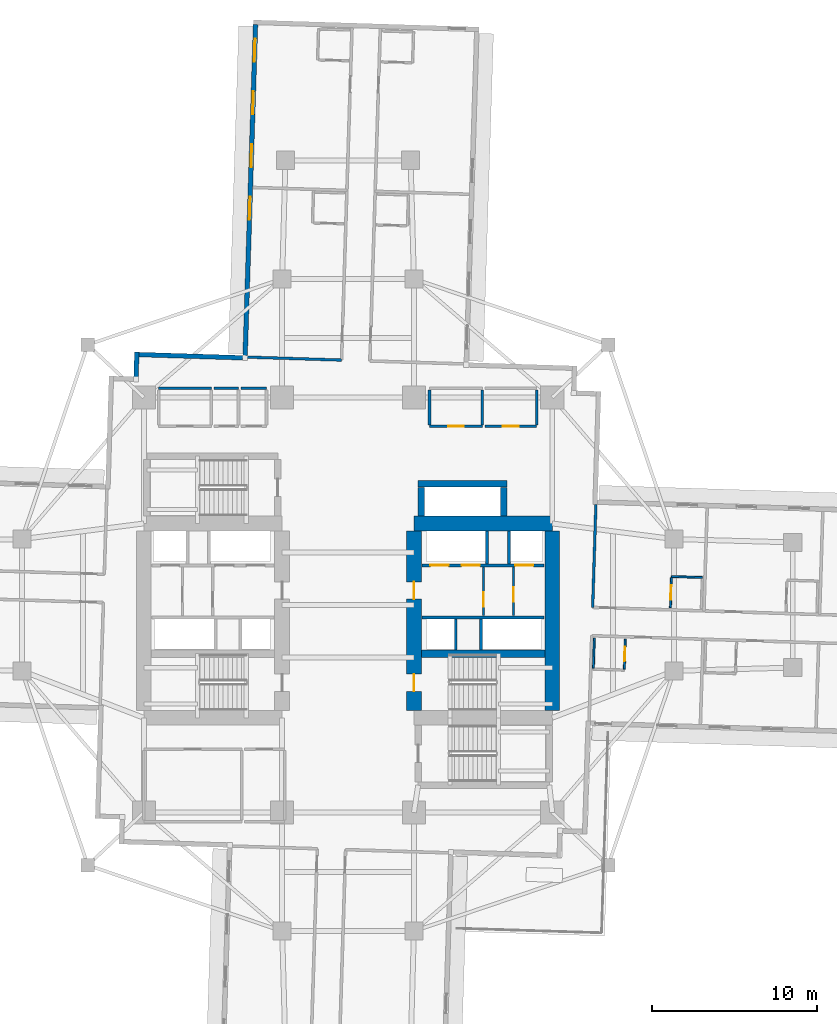
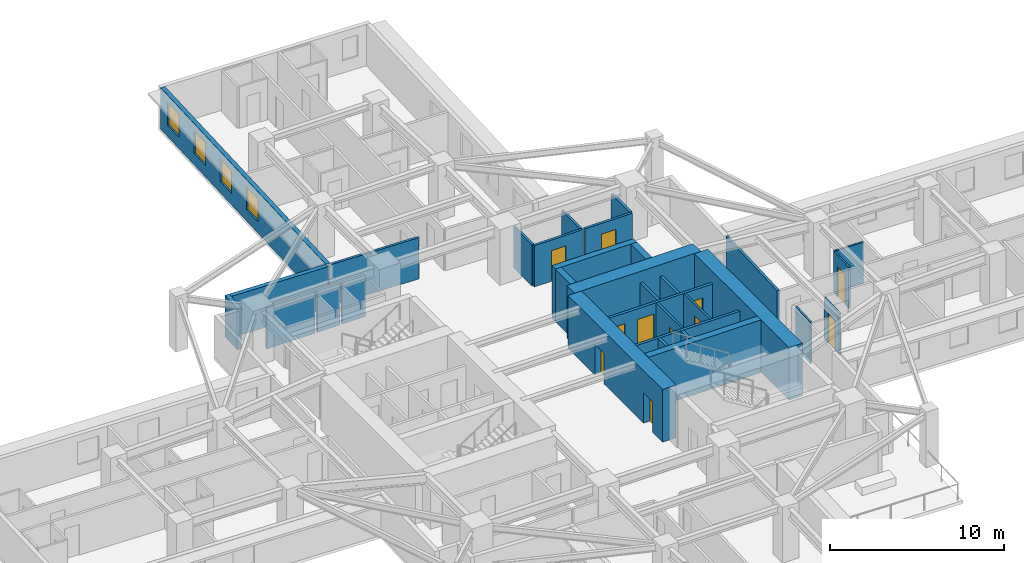
# One storey, part 6 of 13: 32 walls, 11 doors, 4 windows, 15 openings.
"""IFC4 building model written with IfcOpenShell, lengths in metres."""

from ifc_helpers import new_model, si_unit, direction, frame, frame_2d, origin, place, context, subcontext, project, spatial, rectangle, extrude, material, layer, layer_set, type_object, element, fill, save


model = new_model("IFC4")

# Units and contexts
model_context = context("Model", 3, precision=1e-05, world=origin(), true_north=direction((0.0, 1.0)))
body_context = subcontext(model_context, "Body", "Model", "MODEL_VIEW")
ifc_project = project(units=[si_unit("LENGTHUNIT", "METRE"), si_unit("AREAUNIT", "SQUARE_METRE"), si_unit("VOLUMEUNIT", "CUBIC_METRE"), si_unit("PLANEANGLEUNIT", "RADIAN"), si_unit("MASSUNIT", "GRAM", prefix="KILO")], contexts=[model_context])

# Site, building, storey
site_placement = place(None, origin())
site = spatial("IfcSite", under=ifc_project, at=site_placement, CompositionType="ELEMENT")
building_placement = place(site_placement, origin())
building = spatial("IfcBuilding", under=site, at=building_placement, Name="Qingluan Cross Belvedere", CompositionType="ELEMENT")
storey_placement = place(building_placement, frame((0.0, 0.0, 71.699951171875)))
storey = spatial("IfcBuildingStorey", under=building, at=storey_placement, Name="L18", CompositionType="ELEMENT", Elevation=71.699951171875)

# Walls
ifc_material_1 = material(Name="Concrete C50", Category="concrete")
ifc_layer_1 = layer(ifc_material_1, 0.449951171875, Name="CoreShearWall_450")
ifc_layer_set_1 = layer_set([ifc_layer_1], Name="Concrete C50")
wall_type_1 = type_object("IfcWallType", Name="CoreShearWall_450", PredefinedType="SHEAR", material=ifc_layer_set_1)
wall_1_placement = place(storey_placement, frame((4.455078125, -2.9599609375, 0.0), z_axis=(0.0, 0.0, 1.0), x_axis=(1.0, 0.0, 0.0)))
element("IfcWall", 1, at=wall_1_placement, inside=storey, type_object=wall_type_1, Name="Split core E shear wall L18-M", PredefinedType="SHEAR", context=body_context, shape_type="SweptSolid", body=[
    extrude(rectangle(XDim=7.489990234375, YDim=0.449951171875, at=frame_2d((3.7451171875, 0.0))), origin(), (0.0, 0.0, 1.0), 3.699951171875),
])
wall_2_placement = place(storey_placement, frame((4.449951171875, 5.405029296875, 0.0), z_axis=(0.0, 0.0, 1.0), x_axis=(0.0, 1.0, 0.0)))
element("IfcWall", 2, at=wall_2_placement, inside=storey, type_object=wall_type_1, Name="Express shuttle core wall L18-W", PredefinedType="SHEAR", context=body_context, shape_type="SweptSolid", body=[
    extrude(rectangle(XDim=1.73486328125, YDim=0.39990234375, at=frame_2d((0.867431640625, 0.0))), origin(), (0.0, 0.0, 1.0), 3.699951171875),
])
wall_3_placement = place(storey_placement, frame((4.25, 7.35009765625, 0.0), z_axis=(0.0, 0.0, 1.0), x_axis=(1.0, 0.0, 0.0)))
element("IfcWall", 3, at=wall_3_placement, inside=storey, type_object=wall_type_1, Name="Express shuttle core wall L18-N", PredefinedType="SHEAR", context=body_context, shape_type="SweptSolid", body=[
    extrude(rectangle(XDim=5.39990234375, YDim=0.39990234375, at=frame_2d((2.699951171875, 0.0))), origin(), (0.0, 0.0, 1.0), 3.699951171875),
])
wall_4_placement = place(storey_placement, frame((9.449951171875, 5.405029296875, 0.0), z_axis=(0.0, 0.0, 1.0), x_axis=(0.0, 1.0, 0.0)))
element("IfcWall", 4, at=wall_4_placement, inside=storey, type_object=wall_type_1, Name="Express shuttle core wall L18-E", PredefinedType="SHEAR", context=body_context, shape_type="SweptSolid", body=[
    extrude(rectangle(XDim=1.73486328125, YDim=0.39990234375, at=frame_2d((0.867431640625, 0.0))), origin(), (0.0, 0.0, 1.0), 3.699951171875),
])
ifc_material_2 = material(Name="Concrete C70", Category="concrete")
ifc_layer_2 = layer(ifc_material_2, 0.89990234375, Name="CoreShearWall_900")
ifc_layer_set_2 = layer_set([ifc_layer_2], Name="Concrete C70")
wall_type_2 = type_object("IfcWallType", Name="CoreShearWall_900", PredefinedType="SHEAR", material=ifc_layer_set_2)
wall_5_placement = place(storey_placement, frame((4.0, 4.949951171875, 0.0), z_axis=(0.0, 0.0, 1.0), x_axis=(1.0, 0.0, 0.0)))
element("IfcWall", 5, at=wall_5_placement, inside=storey, type_object=wall_type_2, Name="Split core E shear wall L18-N", PredefinedType="SHEAR", context=body_context, shape_type="SweptSolid", body=[
    extrude(rectangle(XDim=8.39990234375, YDim=0.89990234375, at=frame_2d((4.199951171875, 0.0))), origin(), (0.0, 0.0, 1.0), 3.699951171875),
])

# Wall, openings, doors
wall_6_placement = place(storey_placement, frame((4.0, -6.39501953125, 0.0), z_axis=(0.0, 0.0, 1.0), x_axis=(0.0, 1.0, 0.0)))
wall_6 = element("IfcWall", 6, at=wall_6_placement, inside=storey, type_object=wall_type_2, Name="Split core E shear wall L18-W", PredefinedType="SHEAR", context=body_context, shape_type="SweptSolid", body=[
    extrude(rectangle(XDim=10.89013671875, YDim=0.89990234375, at=frame_2d((5.445068359375, 0.0))), origin(), (0.0, 0.0, 1.0), 3.699951171875),
])
opening_1_placement = place(wall_6_placement, frame((1.14501953125, 0.0, 0.0)))
opening_1 = element("IfcOpeningElement", 7, at=opening_1_placement, cuts=wall_6, Name="Opening FD-B11", PredefinedType="OPENING", context=body_context, shape_type="SweptSolid", body=[
    extrude(rectangle(XDim=1.050048828125, YDim=2.14990234375, at=frame_2d((0.52490234375, 1.074951171875))), frame((0.0, 0.4599609375, 0.0), z_axis=(0.0, -1.0, 0.0), x_axis=(1.0, 0.0, 0.0)), (0.0, 0.0, 1.0), 0.919921875),
])
opening_2_placement = place(wall_6_placement, frame((6.7451171875, 0.0, 0.0)))
opening_2 = element("IfcOpeningElement", 8, at=opening_2_placement, cuts=wall_6, Name="Opening FD-B11", PredefinedType="OPENING", context=body_context, shape_type="SweptSolid", body=[
    extrude(rectangle(XDim=1.050048828125, YDim=2.14990234375, at=frame_2d((0.52490234375, 1.074951171875))), frame((0.0, 0.4599609375, 0.0), z_axis=(0.0, -1.0, 0.0), x_axis=(1.0, 0.0, 0.0)), (0.0, 0.0, 1.0), 0.919921875),
])
ifc_material_3 = material(Name="Steel Class B smoke-seal fire door", Category="steel")
door_type_1 = type_object("IfcDoorType", Name="StairLobbyFireDoor_FDB", OperationType="NOTDEFINED", PredefinedType="DOOR", material=ifc_material_3)
door_1_placement = place(opening_1_placement, origin())
door_1 = element("IfcDoor", 9, at=door_1_placement, inside=storey, type_object=door_type_1, Name="Smoke-proof stair ST2 fire door L18", OperationType="SINGLE_SWING_LEFT", OverallHeight=2.14990234375, OverallWidth=1.050048828125, PredefinedType="DOOR", context=body_context, shape_type="SweptSolid", body=[
    extrude(rectangle(XDim=1.050048828125, YDim=2.14990234375, at=frame_2d((0.52490234375, 1.074951171875))), frame((0.0, 0.02490234375, 0.0), z_axis=(0.0, -1.0, 0.0), x_axis=(1.0, 0.0, 0.0)), (0.0, 0.0, 1.0), 0.050048828125),
])
fill(opening_1, door_1)
door_2_placement = place(opening_2_placement, origin())
door_2 = element("IfcDoor", 10, at=door_2_placement, inside=storey, type_object=door_type_1, Name="Firefighting lobby East fire door L18", OperationType="SINGLE_SWING_LEFT", OverallHeight=2.14990234375, OverallWidth=1.050048828125, PredefinedType="DOOR", context=body_context, shape_type="SweptSolid", body=[
    extrude(rectangle(XDim=1.050048828125, YDim=2.14990234375, at=frame_2d((0.52490234375, 1.074951171875))), frame((0.0, 0.02490234375, 0.0), z_axis=(0.0, -1.0, 0.0), x_axis=(1.0, 0.0, 0.0)), (0.0, 0.0, 1.0), 0.050048828125),
])
fill(opening_2, door_2)

# Wall
wall_7_placement = place(storey_placement, frame((12.39990234375, -6.39501953125, 0.0), z_axis=(0.0, 0.0, 1.0), x_axis=(0.0, 1.0, 0.0)))
element("IfcWall", 11, at=wall_7_placement, inside=storey, type_object=wall_type_2, Name="Split core E shear wall L18-E", PredefinedType="SHEAR", context=body_context, shape_type="SweptSolid", body=[
    extrude(rectangle(XDim=10.89013671875, YDim=0.89990234375, at=frame_2d((5.445068359375, 0.0))), origin(), (0.0, 0.0, 1.0), 3.699951171875),
])

# Wall, opening, door
ifc_material_4 = material(Name="Gypsum plasterboard on steel stud acoustic partition", Category="steel")
ifc_layer_3 = layer(ifc_material_4, 0.159912109375, Name="CorridorPartition_160")
ifc_layer_set_3 = layer_set([ifc_layer_3], Name="Gypsum plasterboard on steel stud acoustic partition")
wall_type_3 = type_object("IfcWallType", Name="CorridorPartition_160", PredefinedType="PARTITIONING", material=ifc_layer_set_3)
wall_8_placement = place(storey_placement, frame((10.050048828125, -0.652099609375, 0.0), z_axis=(0.0, 0.0, 1.0), x_axis=(0.0, 1.0, 0.0)))
wall_8 = element("IfcWall", 12, at=wall_8_placement, inside=storey, type_object=wall_type_3, Name="Partition L18:ev", PredefinedType="PARTITIONING", context=body_context, shape_type="SweptSolid", body=[
    extrude(rectangle(XDim=2.962158203125, YDim=0.139892578125, at=frame_2d((1.48095703125, 0.0))), origin(), (0.0, 0.0, 1.0), 2.900146484375),
])
opening_3_placement = place(wall_8_placement, frame((0.85009765625, 0.0, 0.0)))
opening_3 = element("IfcOpeningElement", 13, at=opening_3_placement, cuts=wall_8, Name="Opening FD-B10", PredefinedType="OPENING", context=body_context, shape_type="SweptSolid", body=[
    extrude(rectangle(XDim=0.8798828125, YDim=2.10009765625, at=frame_2d((0.43994140625, 1.050048828125))), frame((0.0, 0.079833984375, 0.0), z_axis=(0.0, -1.0, 0.0), x_axis=(1.0, 0.0, 0.0)), (0.0, 0.0, 1.0), 0.159912109375),
])
ifc_material_5 = material(Name="Steel Class B service fire door", Category="steel")
door_type_2 = type_object("IfcDoorType", Name="RiserServiceFireDoor_FDB", OperationType="NOTDEFINED", PredefinedType="DOOR", material=ifc_material_5)
door_3_placement = place(opening_3_placement, origin())
door_3 = element("IfcDoor", 14, at=door_3_placement, inside=storey, type_object=door_type_2, Name="Service closet inner door L18", OperationType="SINGLE_SWING_LEFT", OverallHeight=2.10009765625, OverallWidth=0.8798828125, PredefinedType="DOOR", context=body_context, shape_type="SweptSolid", body=[
    extrude(rectangle(XDim=0.8798828125, YDim=2.10009765625, at=frame_2d((0.43994140625, 1.050048828125))), frame((0.0, 0.02490234375, 0.0), z_axis=(0.0, -1.0, 0.0), x_axis=(1.0, 0.0, 0.0)), (0.0, 0.0, 1.0), 0.050048828125),
])
fill(opening_3, door_3)

# Walls
wall_9_placement = place(storey_placement, frame((-11.5, 13.14990234375, 0.0), z_axis=(0.0, 0.0, 1.0), x_axis=(1.0, 0.0, 0.0)))
element("IfcWall", 15, at=wall_9_placement, inside=storey, type_object=wall_type_3, Name="Partition L18:q_nw_occ:N", PredefinedType="PARTITIONING", context=body_context, shape_type="SweptSolid", body=[
    extrude(rectangle(XDim=3.199951171875, YDim=0.159912109375, at=frame_2d((1.60009765625, 0.0))), origin(), (0.0, 0.0, 1.0), 2.900146484375),
])
wall_10_placement = place(storey_placement, frame((-8.139892578125, 13.14990234375, 0.0), z_axis=(0.0, 0.0, 1.0), x_axis=(1.0, 0.0, 0.0)))
element("IfcWall", 16, at=wall_10_placement, inside=storey, type_object=wall_type_3, Name="Partition L18:hk_linen:N", PredefinedType="PARTITIONING", context=body_context, shape_type="SweptSolid", body=[
    extrude(rectangle(XDim=1.489990234375, YDim=0.159912109375, at=frame_2d((0.7451171875, 0.0))), origin(), (0.0, 0.0, 1.0), 2.900146484375),
])
wall_11_placement = place(storey_placement, frame((-6.489990234375, 13.14990234375, 0.0), z_axis=(0.0, 0.0, 1.0), x_axis=(1.0, 0.0, 0.0)))
element("IfcWall", 17, at=wall_11_placement, inside=storey, type_object=wall_type_3, Name="Partition L18:floor_acc_wc:N", PredefinedType="PARTITIONING", context=body_context, shape_type="SweptSolid", body=[
    extrude(rectangle(XDim=1.5400390625, YDim=0.159912109375, at=frame_2d((0.77001953125, 0.0))), origin(), (0.0, 0.0, 1.0), 2.900146484375),
])

# Wall, opening, door
wall_12_placement = place(storey_placement, frame((4.949951171875, 10.85009765625, 0.0), z_axis=(0.0, 0.0, 1.0), x_axis=(1.0, 0.0, 0.0)))
wall_12 = element("IfcWall", 18, at=wall_12_placement, inside=storey, type_object=wall_type_3, Name="Partition L18:q_ne1:S", PredefinedType="PARTITIONING", context=body_context, shape_type="SweptSolid", body=[
    extrude(rectangle(XDim=3.199951171875, YDim=0.159912109375, at=frame_2d((1.60009765625, 0.0))), origin(), (0.0, 0.0, 1.0), 2.900146484375),
])
opening_4_placement = place(wall_12_placement, frame((1.1201171875, 0.0, 0.0)))
opening_4 = element("IfcOpeningElement", 19, at=opening_4_placement, cuts=wall_12, Name="Opening GD-10", PredefinedType="OPENING", context=body_context, shape_type="SweptSolid", body=[
    extrude(rectangle(XDim=0.9599609375, YDim=2.14990234375, at=frame_2d((0.47998046875, 1.074951171875))), frame((0.0, 0.08984375, 0.0), z_axis=(0.0, -1.0, 0.0), x_axis=(1.0, 0.0, 0.0)), (0.0, 0.0, 1.0), 0.179931640625),
])
ifc_material_6 = material(Name="Timber oak fire-rated acoustic guestroom door", Category="wood")
door_type_3 = type_object("IfcDoorType", Name="GuestEntryDoor_FD60", OperationType="NOTDEFINED", PredefinedType="DOOR", material=ifc_material_6)
door_4_placement = place(opening_4_placement, origin())
door_4 = element("IfcDoor", 20, at=door_4_placement, inside=storey, type_object=door_type_3, Name="Business conference room L18 door", OperationType="SINGLE_SWING_LEFT", OverallHeight=2.14990234375, OverallWidth=0.9599609375, PredefinedType="DOOR", context=body_context, shape_type="SweptSolid", body=[
    extrude(rectangle(XDim=0.9599609375, YDim=2.14990234375, at=frame_2d((0.47998046875, 1.074951171875))), frame((0.0, 0.02490234375, 0.0), z_axis=(0.0, -1.0, 0.0), x_axis=(1.0, 0.0, 0.0)), (0.0, 0.0, 1.0), 0.050048828125),
])
fill(opening_4, door_4)

# Walls
for number, where, z_axis, x_axis, name in (
    (21, (4.949951171875, 10.93505859375, 0.0), (0.0, 0.0, 1.0), (0.0, 1.0, 0.0), "Partition L18:q_ne1:W"),
    (22, (8.14990234375, 10.93505859375, 0.0), (0.0, 0.0, 1.0), (0.0, 1.0, 0.0), "Partition L18:q_ne1:E"),
):
    element("IfcWall", number, at=place(storey_placement, frame(where, z_axis=z_axis, x_axis=x_axis)), inside=storey, type_object=wall_type_3, Name=name, PredefinedType="PARTITIONING", context=body_context, shape_type="SweptSolid", body=[
        extrude(rectangle(XDim=2.1298828125, YDim=0.159912109375, at=frame_2d((1.06494140625, 0.0))), origin(), (0.0, 0.0, 1.0), 2.900146484375),
    ])

# Wall, opening, door
wall_13_placement = place(storey_placement, frame((8.31005859375, 10.85009765625, 0.0), z_axis=(0.0, 0.0, 1.0), x_axis=(1.0, 0.0, 0.0)))
wall_13 = element("IfcWall", 23, at=wall_13_placement, inside=storey, type_object=wall_type_3, Name="Partition L18:q_ne2:S", PredefinedType="PARTITIONING", context=body_context, shape_type="SweptSolid", body=[
    extrude(rectangle(XDim=3.139892578125, YDim=0.159912109375, at=frame_2d((1.56982421875, 0.0))), origin(), (0.0, 0.0, 1.0), 2.900146484375),
])
opening_5_placement = place(wall_13_placement, frame((1.090087890625, 0.0, 0.0)))
opening_5 = element("IfcOpeningElement", 24, at=opening_5_placement, cuts=wall_13, Name="Opening GD-10", PredefinedType="OPENING", context=body_context, shape_type="SweptSolid", body=[
    extrude(rectangle(XDim=0.9599609375, YDim=2.14990234375, at=frame_2d((0.47998046875, 1.074951171875))), frame((0.0, 0.08984375, 0.0), z_axis=(0.0, -1.0, 0.0), x_axis=(1.0, 0.0, 0.0)), (0.0, 0.0, 1.0), 0.179931640625),
])
door_5_placement = place(opening_5_placement, origin())
door_5 = element("IfcDoor", 25, at=door_5_placement, inside=storey, type_object=door_type_3, Name="Northeast quiet study L18 door", OperationType="SINGLE_SWING_RIGHT", OverallHeight=2.14990234375, OverallWidth=0.9599609375, PredefinedType="DOOR", context=body_context, shape_type="SweptSolid", body=[
    extrude(rectangle(XDim=0.9599609375, YDim=2.14990234375, at=frame_2d((0.47998046875, 1.074951171875))), frame((0.0, 0.02490234375, 0.0), z_axis=(0.0, -1.0, 0.0), x_axis=(1.0, 0.0, 0.0)), (0.0, 0.0, 1.0), 0.050048828125),
])
fill(opening_5, door_5)

# Walls
wall_14_placement = place(storey_placement, frame((11.449951171875, 10.93505859375, 0.0), z_axis=(0.0, 0.0, 1.0), x_axis=(0.0, 1.0, 0.0)))
element("IfcWall", 26, at=wall_14_placement, inside=storey, type_object=wall_type_3, Name="Partition L18:q_ne2:E", PredefinedType="PARTITIONING", context=body_context, shape_type="SweptSolid", body=[
    extrude(rectangle(XDim=2.1298828125, YDim=0.159912109375, at=frame_2d((1.06494140625, 0.0))), origin(), (0.0, 0.0, 1.0), 2.900146484375),
])
wall_15_placement = place(storey_placement, frame((14.852783203125, -0.146484375, 0.0), z_axis=(0.0, 0.0, 1.0), x_axis=(0.031435911097, 0.999505769615, 0.0)))
element("IfcWall", 27, at=wall_15_placement, inside=storey, type_object=wall_type_3, Name="Partition L18:E:s0", PredefinedType="PARTITIONING", context=body_context, shape_type="SweptSolid", body=[
    extrude(rectangle(XDim=6.251953125, YDim=0.159912109375, at=frame_2d((3.1259765625, 0.0))), origin(), (0.0, 0.0, 1.0), 2.900146484375),
])
wall_16_placement = place(storey_placement, frame((-0.39306640625, 14.86962890625, 0.0), z_axis=(0.0, 0.0, 1.0), x_axis=(-0.999506491758, 0.031412942136, 0.0)))
element("IfcWall", 28, at=wall_16_placement, inside=storey, type_object=wall_type_3, Name="Partition L18:N:s1", PredefinedType="PARTITIONING", context=body_context, shape_type="SweptSolid", body=[
    extrude(rectangle(XDim=5.860107421875, YDim=0.159912109375, at=frame_2d((2.93017578125, 0.0))), origin(), (0.0, 0.0, 1.0), 2.900146484375),
])

# Wall, opening, door
ifc_material_7 = material(Name="Moisture-resistant gypsum board lining")
ifc_layer_4 = layer(ifc_material_7, 0.1201171875, Name="EnsuiteWetPartition_120")
ifc_layer_set_4 = layer_set([ifc_layer_4], Name="Moisture-resistant gypsum board lining")
wall_type_4 = type_object("IfcWallType", Name="EnsuiteWetPartition_120", PredefinedType="PARTITIONING", material=ifc_layer_set_4)
wall_17_placement = place(storey_placement, frame((19.57470703125, -0.15478515625, 0.0), z_axis=(0.0, 0.0, 1.0), x_axis=(0.03152371574, 0.999503004171, 0.0)))
wall_17 = element("IfcWall", 29, at=wall_17_placement, inside=storey, type_object=wall_type_4, Name="Partition L18:E:bs0_0", PredefinedType="PARTITIONING", context=body_context, shape_type="SweptSolid", body=[
    extrude(rectangle(XDim=1.820068359375, YDim=0.1201171875, at=frame_2d((0.91015625, 0.0))), origin(), (0.0, 0.0, 1.0), 2.900146484375),
])
opening_6_placement = place(wall_17_placement, frame((0.469970703125, 0.0, 0.0)))
opening_6 = element("IfcOpeningElement", 30, at=opening_6_placement, cuts=wall_17, Name="Opening BD-09", PredefinedType="OPENING", context=body_context, shape_type="SweptSolid", body=[
    extrude(rectangle(XDim=0.8798828125, YDim=2.10009765625, at=frame_2d((0.43994140625, 1.050048828125))), frame((0.0, 0.070068359375, 0.0), z_axis=(0.0, -1.0, 0.0), x_axis=(1.0, 0.0, 0.0)), (0.0, 0.0, 1.0), 0.14013671875),
])
ifc_material_8 = material(Name="Moisture-sealed timber en-suite door", Category="wood")
door_type_4 = type_object("IfcDoorType", Name="BathroomDoor_880", OperationType="NOTDEFINED", PredefinedType="DOOR", material=ifc_material_8)
door_6_placement = place(opening_6_placement, origin())
door_6 = element("IfcDoor", 31, at=door_6_placement, inside=storey, type_object=door_type_4, Name="Bathroom door 1801", OperationType="SINGLE_SWING_RIGHT", OverallHeight=2.10009765625, OverallWidth=0.8798828125, PredefinedType="DOOR", context=body_context, shape_type="SweptSolid", body=[
    extrude(rectangle(XDim=0.8798828125, YDim=2.10009765625, at=frame_2d((0.43994140625, 1.050048828125))), frame((0.0, 0.02490234375, 0.0), z_axis=(0.0, -1.0, 0.0), x_axis=(1.0, 0.0, 0.0)), (0.0, 0.0, 1.0), 0.050048828125),
])
fill(opening_6, door_6)

# Wall
wall_18_placement = place(storey_placement, frame((19.634033203125, 1.72900390625, 0.0), z_axis=(0.0, 0.0, 1.0), x_axis=(0.999510173889, -0.031295563454, 0.0)))
element("IfcWall", 32, at=wall_18_placement, inside=storey, type_object=wall_type_4, Name="Partition L18:E:bn0_0", PredefinedType="PARTITIONING", context=body_context, shape_type="SweptSolid", body=[
    extrude(rectangle(XDim=1.880126953125, YDim=0.1201171875, at=frame_2d((0.93994140625, 0.0))), origin(), (0.0, 0.0, 1.0), 2.900146484375),
])

# Wall, opening, door
wall_19_placement = place(storey_placement, frame((16.776123046875, -3.888916015625, 0.0), z_axis=(0.0, 0.0, 1.0), x_axis=(0.031389704724, 0.999507221803, 0.0)))
wall_19 = element("IfcWall", 33, at=wall_19_placement, inside=storey, type_object=wall_type_4, Name="Partition L18:E:bs1_0", PredefinedType="PARTITIONING", context=body_context, shape_type="SweptSolid", body=[
    extrude(rectangle(XDim=1.820068359375, YDim=0.1201171875, at=frame_2d((0.91015625, 0.0))), origin(), (0.0, 0.0, 1.0), 2.900146484375),
])
opening_7_placement = place(wall_19_placement, frame((0.469970703125, 0.0, 0.0)))
opening_7 = element("IfcOpeningElement", 34, at=opening_7_placement, cuts=wall_19, Name="Opening BD-09", PredefinedType="OPENING", context=body_context, shape_type="SweptSolid", body=[
    extrude(rectangle(XDim=0.8798828125, YDim=2.10009765625, at=frame_2d((0.43994140625, 1.050048828125))), frame((0.0, 0.070068359375, 0.0), z_axis=(0.0, -1.0, 0.0), x_axis=(1.0, 0.0, 0.0)), (0.0, 0.0, 1.0), 0.14013671875),
])
door_7_placement = place(opening_7_placement, origin())
door_7 = element("IfcDoor", 35, at=door_7_placement, inside=storey, type_object=door_type_4, Name="Bathroom door 1804", OperationType="SINGLE_SWING_RIGHT", OverallHeight=2.10009765625, OverallWidth=0.8798828125, PredefinedType="DOOR", context=body_context, shape_type="SweptSolid", body=[
    extrude(rectangle(XDim=0.8798828125, YDim=2.10009765625, at=frame_2d((0.43994140625, 1.050048828125))), frame((0.0, 0.02490234375, 0.0), z_axis=(0.0, -1.0, 0.0), x_axis=(1.0, 0.0, 0.0)), (0.0, 0.0, 1.0), 0.050048828125),
])
fill(opening_7, door_7)

# Wall
wall_20_placement = place(storey_placement, frame((14.897216796875, -3.829833984375, 0.0), z_axis=(0.0, 0.0, 1.0), x_axis=(0.031255692016, 0.999511421504, 0.0)))
element("IfcWall", 36, at=wall_20_placement, inside=storey, type_object=wall_type_4, Name="Partition L18:E:bw1_0", PredefinedType="PARTITIONING", context=body_context, shape_type="SweptSolid", body=[
    extrude(rectangle(XDim=1.820068359375, YDim=0.1201171875, at=frame_2d((0.91015625, 0.0))), origin(), (0.0, 0.0, 1.0), 2.900146484375),
])

# Wall, openings, windows
ifc_material_9 = material(Name="Precast concrete C45", Category="concrete")
ifc_layer_5 = layer(ifc_material_9, 0.280029296875, Name="PrecastFacadeWall_280")
ifc_layer_set_5 = layer_set([ifc_layer_5], Name="Precast concrete C45")
wall_type_5 = type_object("IfcWallType", Name="PrecastFacadeWall_280", PredefinedType="STANDARD", material=ifc_layer_set_5)
wall_21_placement = place(storey_placement, frame((-5.6162109375, 35.23388671875, 0.0), z_axis=(0.0, 0.0, 1.0), x_axis=(-0.031398187845, -0.999506955354, 0.0)))
wall_21 = element("IfcWall", 37, at=wall_21_placement, inside=storey, type_object=wall_type_5, Name="Facade wall L18-NB", PredefinedType="STANDARD", context=body_context, shape_type="SweptSolid", body=[
    extrude(rectangle(XDim=20.10009765625, YDim=0.280029296875, at=frame_2d((10.050048828125, 0.0))), origin(), (0.0, 0.0, 1.0), 2.91015625),
])
opening_8_placement = place(wall_21_placement, frame((0.85009765625, 0.0, 0.800048828125)))
opening_8 = element("IfcOpeningElement", 38, at=opening_8_placement, cuts=wall_21, Name="Opening W-01", PredefinedType="OPENING", context=body_context, shape_type="SweptSolid", body=[
    extrude(rectangle(XDim=1.39990234375, YDim=1.60009765625, at=frame_2d((0.699951171875, 0.800048828125))), frame((0.0, 0.14990234375, 0.0), z_axis=(0.0, -1.0, 0.0), x_axis=(1.0, 0.0, 0.0)), (0.0, 0.0, 1.0), 0.300048828125),
])
opening_9_placement = place(wall_21_placement, frame((4.050048828125, 0.0, 0.800048828125)))
opening_9 = element("IfcOpeningElement", 39, at=opening_9_placement, cuts=wall_21, Name="Opening W-01", PredefinedType="OPENING", context=body_context, shape_type="SweptSolid", body=[
    extrude(rectangle(XDim=1.39990234375, YDim=1.60009765625, at=frame_2d((0.699951171875, 0.800048828125))), frame((0.0, 0.14990234375, 0.0), z_axis=(0.0, -1.0, 0.0), x_axis=(1.0, 0.0, 0.0)), (0.0, 0.0, 1.0), 0.300048828125),
])
opening_10_placement = place(wall_21_placement, frame((7.25, 0.0, 0.800048828125)))
opening_10 = element("IfcOpeningElement", 40, at=opening_10_placement, cuts=wall_21, Name="Opening W-01", PredefinedType="OPENING", context=body_context, shape_type="SweptSolid", body=[
    extrude(rectangle(XDim=1.39990234375, YDim=1.60009765625, at=frame_2d((0.699951171875, 0.800048828125))), frame((0.0, 0.14990234375, 0.0), z_axis=(0.0, -1.0, 0.0), x_axis=(1.0, 0.0, 0.0)), (0.0, 0.0, 1.0), 0.300048828125),
])
opening_11_placement = place(wall_21_placement, frame((10.449951171875, 0.0, 0.800048828125)))
opening_11 = element("IfcOpeningElement", 41, at=opening_11_placement, cuts=wall_21, Name="Opening W-01", PredefinedType="OPENING", context=body_context, shape_type="SweptSolid", body=[
    extrude(rectangle(XDim=1.39990234375, YDim=1.60009765625, at=frame_2d((0.699951171875, 0.800048828125))), frame((0.0, 0.14990234375, 0.0), z_axis=(0.0, -1.0, 0.0), x_axis=(1.0, 0.0, 0.0)), (0.0, 0.0, 1.0), 0.300048828125),
])
ifc_material_10 = material(Name="Thermally broken triple Low-E glass in aluminium frame", Category="aluminium")
window_type = type_object("IfcWindowType", Name="TriRibbonWin_1400x1600", PartitioningType="SINGLE_PANEL", PredefinedType="WINDOW", material=ifc_material_10)
window_1_placement = place(opening_8_placement, origin())
window_1 = element("IfcWindow", 42, at=window_1_placement, inside=storey, type_object=window_type, Name="Ribbon window L18-NB-1", OverallHeight=1.60009765625, OverallWidth=1.39990234375, PartitioningType="SINGLE_PANEL", PredefinedType="WINDOW", context=body_context, shape_type="SweptSolid", body=[
    extrude(rectangle(XDim=1.39990234375, YDim=1.60009765625, at=frame_2d((0.699951171875, 0.800048828125))), frame((0.0, 0.030029296875, 0.0), z_axis=(0.0, -1.0, 0.0), x_axis=(1.0, 0.0, 0.0)), (0.0, 0.0, 1.0), 0.06005859375),
])
fill(opening_8, window_1)
window_2_placement = place(opening_9_placement, origin())
window_2 = element("IfcWindow", 43, at=window_2_placement, inside=storey, type_object=window_type, Name="Ribbon window L18-NB-2", OverallHeight=1.60009765625, OverallWidth=1.39990234375, PartitioningType="SINGLE_PANEL", PredefinedType="WINDOW", context=body_context, shape_type="SweptSolid", body=[
    extrude(rectangle(XDim=1.39990234375, YDim=1.60009765625, at=frame_2d((0.699951171875, 0.800048828125))), frame((0.0, 0.030029296875, 0.0), z_axis=(0.0, -1.0, 0.0), x_axis=(1.0, 0.0, 0.0)), (0.0, 0.0, 1.0), 0.06005859375),
])
fill(opening_9, window_2)
window_3_placement = place(opening_10_placement, origin())
window_3 = element("IfcWindow", 44, at=window_3_placement, inside=storey, type_object=window_type, Name="Ribbon window L18-NB-3", OverallHeight=1.60009765625, OverallWidth=1.39990234375, PartitioningType="SINGLE_PANEL", PredefinedType="WINDOW", context=body_context, shape_type="SweptSolid", body=[
    extrude(rectangle(XDim=1.39990234375, YDim=1.60009765625, at=frame_2d((0.699951171875, 0.800048828125))), frame((0.0, 0.030029296875, 0.0), z_axis=(0.0, -1.0, 0.0), x_axis=(1.0, 0.0, 0.0)), (0.0, 0.0, 1.0), 0.06005859375),
])
fill(opening_10, window_3)
window_4_placement = place(opening_11_placement, origin())
window_4 = element("IfcWindow", 45, at=window_4_placement, inside=storey, type_object=window_type, Name="Ribbon window L18-NB-4", OverallHeight=1.60009765625, OverallWidth=1.39990234375, PartitioningType="SINGLE_PANEL", PredefinedType="WINDOW", context=body_context, shape_type="SweptSolid", body=[
    extrude(rectangle(XDim=1.39990234375, YDim=1.60009765625, at=frame_2d((0.699951171875, 0.800048828125))), frame((0.0, 0.030029296875, 0.0), z_axis=(0.0, -1.0, 0.0), x_axis=(1.0, 0.0, 0.0)), (0.0, 0.0, 1.0), 0.06005859375),
])
fill(opening_11, window_4)

# Walls
wall_22_placement = place(storey_placement, frame((-12.871337890625, 13.85107421875, 0.0), z_axis=(0.0, 0.0, 1.0), x_axis=(0.031412596484, 0.999506502621, 0.0)))
element("IfcWall", 46, at=wall_22_placement, inside=storey, type_object=wall_type_5, Name="Corner wall L18-NW3", PredefinedType="STANDARD", context=body_context, shape_type="SweptSolid", body=[
    extrude(rectangle(XDim=1.5, YDim=0.280029296875, at=frame_2d((0.75, 0.0))), origin(), (0.0, 0.0, 1.0), 2.91015625),
])
wall_23_placement = place(storey_placement, frame((-12.688720703125, 15.2060546875, 0.0), z_axis=(0.0, 0.0, 1.0), x_axis=(0.999507262922, -0.031388395416, 0.0)))
element("IfcWall", 47, at=wall_23_placement, inside=storey, type_object=wall_type_5, Name="Corner wall L18-NW4", PredefinedType="STANDARD", context=body_context, shape_type="SweptSolid", body=[
    extrude(rectangle(XDim=6.30029296875, YDim=0.280029296875, at=frame_2d((3.150146484375, 0.0))), origin(), (0.0, 0.0, 1.0), 2.91015625),
])

# Wall, openings, doors
ifc_material_11 = material(Name="Concrete C40", Category="concrete")
ifc_layer_6 = layer(ifc_material_11, 0.219970703125, Name="ShaftEnclosureWall_250")
ifc_layer_set_6 = layer_set([ifc_layer_6], Name="Concrete C40")
wall_type_6 = type_object("IfcWallType", Name="ShaftEnclosureWall_250", PredefinedType="SOLIDWALL", material=ifc_layer_set_6)
wall_24_placement = place(storey_placement, frame((4.47998046875, 2.409912109375, 0.0), z_axis=(0.0, 0.0, 1.0), x_axis=(1.0, 0.0, 0.0)))
wall_24 = element("IfcWall", 48, at=wall_24_placement, inside=storey, type_object=wall_type_6, Name="Core-E north hoistway wall L18", PredefinedType="SOLIDWALL", context=body_context, shape_type="SweptSolid", body=[
    extrude(rectangle(XDim=7.419921875, YDim=0.179931640625, at=frame_2d((3.7099609375, 0.0))), origin(), (0.0, 0.0, 1.0), 2.900146484375),
])
opening_12_placement = place(wall_24_placement, frame((5.669921875, 0.0, 0.0)))
opening_12 = element("IfcOpeningElement", 49, at=opening_12_placement, cuts=wall_24, Name="Opening LD-11", PredefinedType="OPENING", context=body_context, shape_type="SweptSolid", body=[
    extrude(rectangle(XDim=1.10009765625, YDim=2.14990234375, at=frame_2d((0.550048828125, 1.074951171875))), frame((0.0, 0.099853515625, 0.0), z_axis=(0.0, -1.0, 0.0), x_axis=(1.0, 0.0, 0.0)), (0.0, 0.0, 1.0), 0.199951171875),
])
opening_13_placement = place(wall_24_placement, frame((0.52001953125, 0.0, 0.0)))
opening_13 = element("IfcOpeningElement", 50, at=opening_13_placement, cuts=wall_24, Name="Opening LD-11", PredefinedType="OPENING", context=body_context, shape_type="SweptSolid", body=[
    extrude(rectangle(XDim=1.10009765625, YDim=2.14990234375, at=frame_2d((0.550048828125, 1.074951171875))), frame((0.0, 0.099853515625, 0.0), z_axis=(0.0, -1.0, 0.0), x_axis=(1.0, 0.0, 0.0)), (0.0, 0.0, 1.0), 0.199951171875),
])
opening_14_placement = place(wall_24_placement, frame((2.419921875, 0.0, 0.0)))
opening_14 = element("IfcOpeningElement", 51, at=opening_14_placement, cuts=wall_24, Name="Opening LD-11", PredefinedType="OPENING", context=body_context, shape_type="SweptSolid", body=[
    extrude(rectangle(XDim=1.10009765625, YDim=2.14990234375, at=frame_2d((0.550048828125, 1.074951171875))), frame((0.0, 0.099853515625, 0.0), z_axis=(0.0, -1.0, 0.0), x_axis=(1.0, 0.0, 0.0)), (0.0, 0.0, 1.0), 0.199951171875),
])
ifc_material_12 = material(Name="Brushed stainless steel centre-opening lift landing door", Category="steel")
door_type_5 = type_object("IfcDoorType", Name="LiftLandingSlidingDoor_1100", OperationType="DOUBLE_DOOR_SLIDING", PredefinedType="DOOR", material=ifc_material_12)
door_8_placement = place(opening_12_placement, origin())
door_8 = element("IfcDoor", 52, at=door_8_placement, inside=storey, type_object=door_type_5, Name="Lift landing sliding door FL2 L18", OperationType="DOUBLE_DOOR_SLIDING", OverallHeight=2.14990234375, OverallWidth=1.10009765625, PredefinedType="DOOR", context=body_context, shape_type="SweptSolid", body=[
    extrude(rectangle(XDim=1.10009765625, YDim=2.14990234375, at=frame_2d((0.550048828125, 1.074951171875))), frame((0.0, 0.02490234375, 0.0), z_axis=(0.0, -1.0, 0.0), x_axis=(1.0, 0.0, 0.0)), (0.0, 0.0, 1.0), 0.050048828125),
])
fill(opening_12, door_8)
door_9_placement = place(opening_13_placement, origin())
door_9 = element("IfcDoor", 53, at=door_9_placement, inside=storey, type_object=door_type_5, Name="Lift landing sliding door LP3 L18", OperationType="DOUBLE_DOOR_SLIDING", OverallHeight=2.14990234375, OverallWidth=1.10009765625, PredefinedType="DOOR", context=body_context, shape_type="SweptSolid", body=[
    extrude(rectangle(XDim=1.10009765625, YDim=2.14990234375, at=frame_2d((0.550048828125, 1.074951171875))), frame((0.0, 0.02490234375, 0.0), z_axis=(0.0, -1.0, 0.0), x_axis=(1.0, 0.0, 0.0)), (0.0, 0.0, 1.0), 0.050048828125),
])
fill(opening_13, door_9)
door_10_placement = place(opening_14_placement, origin())
door_10 = element("IfcDoor", 54, at=door_10_placement, inside=storey, type_object=door_type_5, Name="Lift landing sliding door LP4 L18", OperationType="DOUBLE_DOOR_SLIDING", OverallHeight=2.14990234375, OverallWidth=1.10009765625, PredefinedType="DOOR", context=body_context, shape_type="SweptSolid", body=[
    extrude(rectangle(XDim=1.10009765625, YDim=2.14990234375, at=frame_2d((0.550048828125, 1.074951171875))), frame((0.0, 0.02490234375, 0.0), z_axis=(0.0, -1.0, 0.0), x_axis=(1.0, 0.0, 0.0)), (0.0, 0.0, 1.0), 0.050048828125),
])
fill(opening_14, door_10)

# Walls
wall_25_placement = place(storey_placement, frame((4.47998046875, -0.75, 0.0), z_axis=(0.0, 0.0, 1.0), x_axis=(1.0, 0.0, 0.0)))
element("IfcWall", 55, at=wall_25_placement, inside=storey, type_object=wall_type_6, Name="Core-E mid hoistway wall L18", PredefinedType="SOLIDWALL", context=body_context, shape_type="SweptSolid", body=[
    extrude(rectangle(XDim=7.419921875, YDim=0.179931640625, at=frame_2d((3.7099609375, 0.0))), origin(), (0.0, 0.0, 1.0), 2.900146484375),
])
for number, where, z_axis, x_axis, name in (
    (56, (8.43994140625, 2.5, 0.0), (0.0, 0.0, 1.0), (0.0, 1.0, 0.0), "Hoistway enclosure divider LP4E L18"),
    (57, (9.760009765625, 2.5, 0.0), (0.0, 0.0, 1.0), (0.0, 1.0, 0.0), "Hoistway enclosure divider FL2W L18"),
):
    element("IfcWall", number, at=place(storey_placement, frame(where, z_axis=z_axis, x_axis=x_axis)), inside=storey, type_object=wall_type_6, Name=name, PredefinedType="SOLIDWALL", context=body_context, shape_type="SweptSolid", body=[
        extrude(rectangle(XDim=1.989990234375, YDim=0.179931640625, at=frame_2d((0.9951171875, 0.0))), origin(), (0.0, 0.0, 1.0), 2.900146484375),
    ])
for number, where, z_axis, x_axis, name in (
    (58, (6.5400390625, -2.72998046875, 0.0), (0.0, 0.0, 1.0), (0.0, 1.0, 0.0), "Hoistway enclosure divider LP7E L18"),
    (59, (8.06005859375, -2.72998046875, 0.0), (0.0, 0.0, 1.0), (0.0, 1.0, 0.0), "Hoistway enclosure divider LP9W L18"),
):
    element("IfcWall", number, at=place(storey_placement, frame(where, z_axis=z_axis, x_axis=x_axis)), inside=storey, type_object=wall_type_6, Name=name, PredefinedType="SOLIDWALL", context=body_context, shape_type="SweptSolid", body=[
        extrude(rectangle(XDim=1.889892578125, YDim=0.179931640625, at=frame_2d((0.94482421875, 0.0))), origin(), (0.0, 0.0, 1.0), 2.900146484375),
    ])

# Wall, opening, door
wall_26_placement = place(storey_placement, frame((8.219970703125, -0.64990234375, 0.0), z_axis=(0.0, 0.0, 1.0), x_axis=(0.0, 1.0, 0.0)))
wall_26 = element("IfcWall", 60, at=wall_26_placement, inside=storey, type_object=wall_type_6, Name="Core-E service corridor wall L18", PredefinedType="SOLIDWALL", context=body_context, shape_type="SweptSolid", body=[
    extrude(rectangle(XDim=2.9599609375, YDim=0.139892578125, at=frame_2d((1.47998046875, 0.0))), origin(), (0.0, 0.0, 1.0), 2.900146484375),
])
opening_15_placement = place(wall_26_placement, frame((0.550048828125, 0.0, 0.0)))
opening_15 = element("IfcOpeningElement", 61, at=opening_15_placement, cuts=wall_26, Name="Opening FD-B10", PredefinedType="OPENING", context=body_context, shape_type="SweptSolid", body=[
    extrude(rectangle(XDim=0.8798828125, YDim=2.10009765625, at=frame_2d((0.43994140625, 1.050048828125))), frame((0.0, 0.079833984375, 0.0), z_axis=(0.0, -1.0, 0.0), x_axis=(1.0, 0.0, 0.0)), (0.0, 0.0, 1.0), 0.159912109375),
])
door_11_placement = place(opening_15_placement, origin())
door_11 = element("IfcDoor", 62, at=door_11_placement, inside=storey, type_object=door_type_2, Name="Core-E service room door L18", OperationType="SINGLE_SWING_LEFT", OverallHeight=2.10009765625, OverallWidth=0.8798828125, PredefinedType="DOOR", context=body_context, shape_type="SweptSolid", body=[
    extrude(rectangle(XDim=0.8798828125, YDim=2.10009765625, at=frame_2d((0.43994140625, 1.050048828125))), frame((0.0, 0.02490234375, 0.0), z_axis=(0.0, -1.0, 0.0), x_axis=(1.0, 0.0, 0.0)), (0.0, 0.0, 1.0), 0.050048828125),
])
fill(opening_15, door_11)

save(model, "model.ifc")
